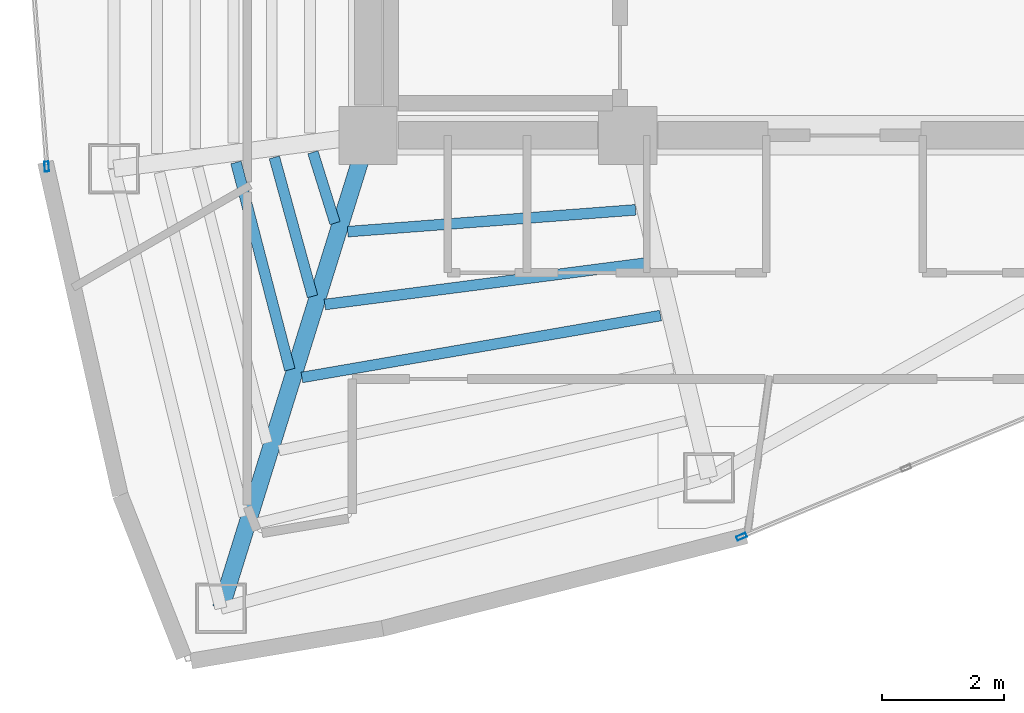
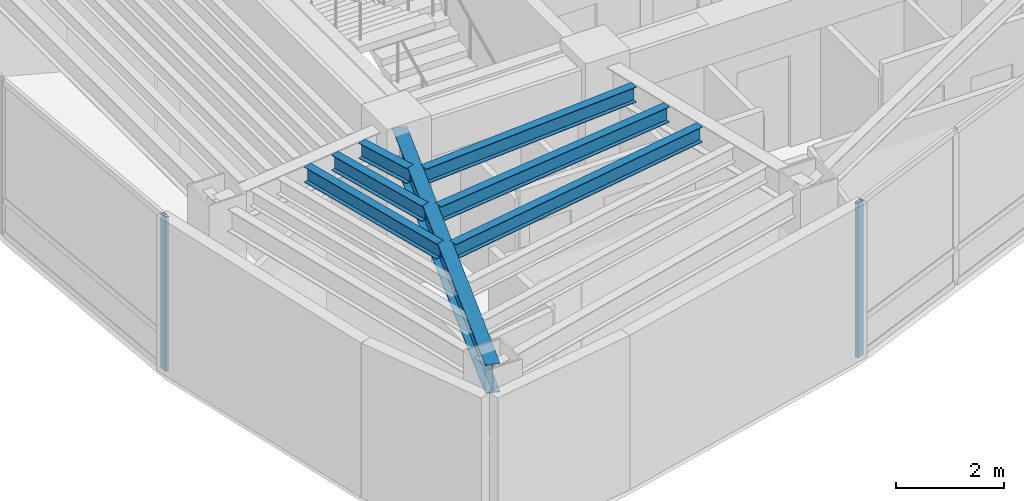
# One storey, part 2 of 15: 7 beams, 2 members, 2 elements without a shape of their own.
"""IFC4 building model written with IfcOpenShell, lengths in metres."""

from ifc_helpers import new_model, si_unit, direction, frame, origin, origin_2d, place, context, subcontext, project, spatial, hollow_rectangle, i_section, extrude, material, layer, layer_set, material_profile, profile_set, type_object, element, aggregate, save


model = new_model("IFC4")

# Units and contexts
model_context = context("Model", 3, precision=1e-05, world=origin(), true_north=direction((0.0, 1.0)))
body_context = subcontext(model_context, "Body", "Model", "MODEL_VIEW")
ifc_project = project(units=[si_unit("LENGTHUNIT", "METRE"), si_unit("AREAUNIT", "SQUARE_METRE"), si_unit("VOLUMEUNIT", "CUBIC_METRE"), si_unit("PLANEANGLEUNIT", "RADIAN"), si_unit("MASSUNIT", "GRAM", prefix="KILO")], contexts=[model_context])

# Site, building, storey
site_placement = place(None, origin())
site = spatial("IfcSite", under=ifc_project, at=site_placement, CompositionType="ELEMENT")
building_placement = place(site_placement, origin())
building = spatial("IfcBuilding", under=site, at=building_placement, Name="Menara Vayukalpa", CompositionType="ELEMENT")
storey_placement = place(building_placement, frame((0.0, 0.0, 288.06005859375)))
storey = spatial("IfcBuildingStorey", under=building, at=storey_placement, Name="L73", CompositionType="ELEMENT", Elevation=288.06005859375)

# Beams
ifc_material_1 = material(Name="Steel S355", Category="steel")
ifc_material_profile_1 = material_profile(ifc_material_1, i_section(OverallWidth=0.280029296875, OverallDepth=0.64990234375, WebThickness=0.012939453125, FlangeThickness=0.02197265625, at=origin_2d()), Name="WF 650x280x13x22")
ifc_profile_set_1 = profile_set([ifc_material_profile_1], Name="Steel S355")
beam_type_1 = type_object("IfcBeamType", Name="BM-PG6", PredefinedType="BEAM", material=ifc_profile_set_1)
beam_1_placement = place(storey_placement, frame((17.7255859375, 16.961181640625, 3.175048828125), z_axis=(-0.297213792842, -0.954810955815, 0.0), x_axis=(0.954810955815, -0.297213792842, 0.0)))
element("IfcBeam", 1, at=beam_1_placement, inside=storey, type_object=beam_type_1, Name="L73 Primary Radial Girder RG07", PredefinedType="BEAM", context=body_context, shape_type="SweptSolid", body=[
    extrude(i_section(OverallWidth=0.280029296875, OverallDepth=0.64990234375, WebThickness=0.012939453125, FlangeThickness=0.02197265625, at=origin_2d()), origin(), (0.0, 0.0, 1.0), 7.861083984375),
])
ifc_material_2 = material(Name="Steel S355", Category="steel")
ifc_material_profile_2 = material_profile(ifc_material_2, i_section(OverallWidth=0.175048828125, OverallDepth=0.35009765625, WebThickness=0.007080078125, FlangeThickness=0.010986328125, at=origin_2d()), Name="WF 350x175x7x11")
ifc_profile_set_2 = profile_set([ifc_material_profile_2], Name="Steel S355")
beam_type_2 = type_object("IfcBeamType", Name="BM-SJ3", PredefinedType="JOIST", material=ifc_profile_set_2)
beam_2_placement = place(storey_placement, frame((16.8955078125, 16.922119140625, 3.324951171875), z_axis=(0.297954442868, -0.954580090917, 0.0), x_axis=(0.954580090917, 0.297954442868, 0.0)))
element("IfcBeam", 2, at=beam_2_placement, inside=storey, type_object=beam_type_2, Name="L73 Secondary Floor Joist SJ06-1", PredefinedType="JOIST", context=body_context, shape_type="SweptSolid", body=[
    extrude(i_section(OverallWidth=0.175048828125, OverallDepth=0.35009765625, WebThickness=0.007080078125, FlangeThickness=0.010986328125, at=origin_2d()), origin(), (0.0, 0.0, 1.0), 1.21435546875),
])
beam_3_placement = place(storey_placement, frame((16.263916015625, 16.83837890625, 3.324951171875), z_axis=(0.264947201585, -0.96426292077, 0.0), x_axis=(0.96426292077, 0.264947201585, 0.0)))
element("IfcBeam", 3, at=beam_3_placement, inside=storey, type_object=beam_type_2, Name="L73 Secondary Floor Joist SJ06-2", PredefinedType="JOIST", context=body_context, shape_type="SweptSolid", body=[
    extrude(i_section(OverallWidth=0.175048828125, OverallDepth=0.35009765625, WebThickness=0.007080078125, FlangeThickness=0.010986328125, at=origin_2d()), origin(), (0.0, 0.0, 1.0), 2.35888671875),
])
beam_4_placement = place(storey_placement, frame((15.6357421875, 16.755615234375, 3.324951171875), z_axis=(0.251457685321, -0.967868292947, 0.0), x_axis=(0.967868292947, 0.251457685321, 0.0)))
element("IfcBeam", 4, at=beam_4_placement, inside=storey, type_object=beam_type_2, Name="L73 Secondary Floor Joist SJ06-3", PredefinedType="JOIST", context=body_context, shape_type="SweptSolid", body=[
    extrude(i_section(OverallWidth=0.175048828125, OverallDepth=0.35009765625, WebThickness=0.007080078125, FlangeThickness=0.010986328125, at=origin_2d()), origin(), (0.0, 0.0, 1.0), 3.5048828125),
])
beam_5_placement = place(storey_placement, frame((17.464599609375, 15.622314453125, 3.324951171875), z_axis=(0.997140447376, 0.075570683512, 0.0), x_axis=(-0.075570683512, 0.997140447376, 0.0)))
element("IfcBeam", 5, at=beam_5_placement, inside=storey, type_object=beam_type_2, Name="L73 Secondary Floor Joist SJ07-1", PredefinedType="JOIST", context=body_context, shape_type="SweptSolid", body=[
    extrude(i_section(OverallWidth=0.175048828125, OverallDepth=0.35009765625, WebThickness=0.007080078125, FlangeThickness=0.010986328125, at=origin_2d()), origin(), (0.0, 0.0, 1.0), 4.726318359375),
])
beam_6_placement = place(storey_placement, frame((17.08984375, 14.4296875, 3.324951171875), z_axis=(0.991761375414, 0.128099079766, 0.0), x_axis=(-0.128099079766, 0.991761375414, 0.0)))
element("IfcBeam", 6, at=beam_6_placement, inside=storey, type_object=beam_type_2, Name="L73 Secondary Floor Joist SJ07-2", PredefinedType="JOIST", context=body_context, shape_type="SweptSolid", body=[
    extrude(i_section(OverallWidth=0.175048828125, OverallDepth=0.35009765625, WebThickness=0.007080078125, FlangeThickness=0.010986328125, at=origin_2d()), origin(), (0.0, 0.0, 1.0), 5.33642578125),
])
beam_7_placement = place(storey_placement, frame((16.715087890625, 13.235595703125, 3.324951171875), z_axis=(0.985438818134, 0.170030396443, 0.0), x_axis=(-0.170030396443, 0.985438818134, 0.0)))
element("IfcBeam", 7, at=beam_7_placement, inside=storey, type_object=beam_type_2, Name="L73 Secondary Floor Joist SJ07-3", PredefinedType="JOIST", context=body_context, shape_type="SweptSolid", body=[
    extrude(i_section(OverallWidth=0.175048828125, OverallDepth=0.35009765625, WebThickness=0.007080078125, FlangeThickness=0.010986328125, at=origin_2d()), origin(), (0.0, 0.0, 1.0), 5.958740234375),
])

# Curtain wall, member
ifc_material_3 = material(Name="Anodised Terracotta Aluminium Alloy 6063-T6", Category="masonry")
ifc_layer = layer(ifc_material_3, 0.1650390625)
ifc_layer_set = layer_set([ifc_layer], Name="Anodised Terracotta Aluminium Alloy 6063-T6")
curtain_wall_type = type_object("IfcCurtainWallType", Name="CW-CW6", PredefinedType="USERDEFINED", material=ifc_layer_set)
curtain_wall_1_placement = place(storey_placement, origin())
curtain_wall_1 = element("IfcCurtainWall", 8, at=curtain_wall_1_placement, inside=storey, type_object=curtain_wall_type, Name="L73 Observation and Executive Curtain Wall CW6 11", ObjectType="UNITISED", PredefinedType="USERDEFINED")
ifc_material_4 = material(Name="Anodised Terracotta Aluminium Alloy 6063-T6", Category="masonry")
ifc_material_profile_3 = material_profile(ifc_material_4, hollow_rectangle(XDim=0.070068359375, YDim=0.1650390625, WallThickness=0.00390625, at=origin_2d()), Name="ALU 70x165x4")
ifc_profile_set_3 = profile_set([ifc_material_profile_3], Name="Anodised Terracotta Aluminium Alloy 6063-T6")
member_type = type_object("IfcMemberType", Name="CWM-CW6", PredefinedType="MULLION", material=ifc_profile_set_3)
member_1_placement = place(storey_placement, frame((12.536376953125, 16.688232421875, 0.0), z_axis=(0.0, 0.0, 1.0), x_axis=(0.997199344663, 0.074789484574, 0.0)))
member_1 = element("IfcMember", 9, at=member_1_placement, type_object=member_type, Name="CW6 mullion 2", PredefinedType="MULLION", context=body_context, shape_type="SweptSolid", body=[
    extrude(hollow_rectangle(XDim=0.070068359375, YDim=0.1650390625, WallThickness=0.00390625, at=origin_2d()), origin(), (0.0, 0.0, 1.0), 3.5),
])
aggregate(curtain_wall_1, [member_1])

curtain_wall_2_placement = place(storey_placement, origin())
curtain_wall_2 = element("IfcCurtainWall", 10, at=curtain_wall_2_placement, inside=storey, type_object=curtain_wall_type, Name="L73 Observation and Executive Curtain Wall CW6 16", ObjectType="UNITISED", PredefinedType="USERDEFINED")
member_2_placement = place(storey_placement, frame((23.913330078125, 10.62841796875, 0.0), z_axis=(0.0, 0.0, 1.0), x_axis=(-0.385899911703, 0.922540653927, 0.0)))
member_2 = element("IfcMember", 11, at=member_2_placement, type_object=member_type, Name="CW6 mullion 1", PredefinedType="MULLION", context=body_context, shape_type="SweptSolid", body=[
    extrude(hollow_rectangle(XDim=0.070068359375, YDim=0.1650390625, WallThickness=0.00390625, at=origin_2d()), origin(), (0.0, 0.0, 1.0), 3.5),
])
aggregate(curtain_wall_2, [member_2])

save(model, "model.ifc")
